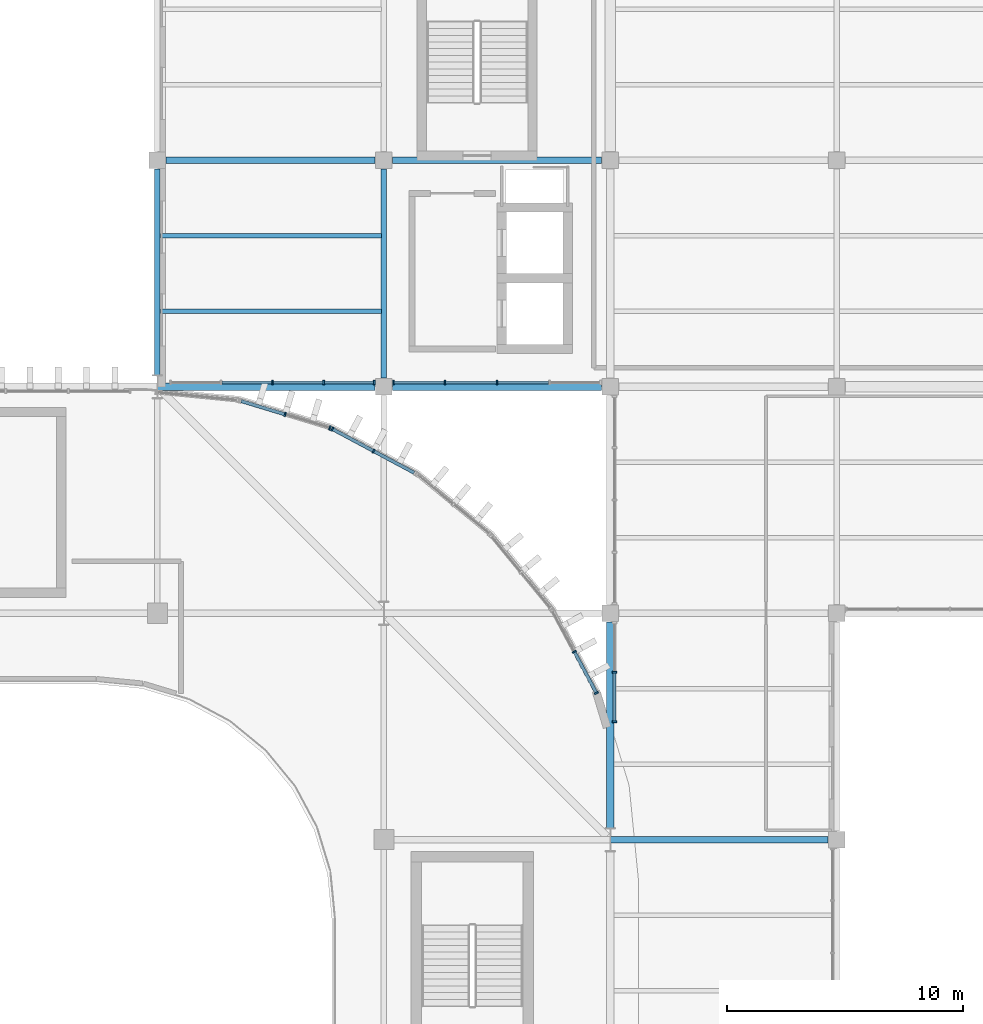
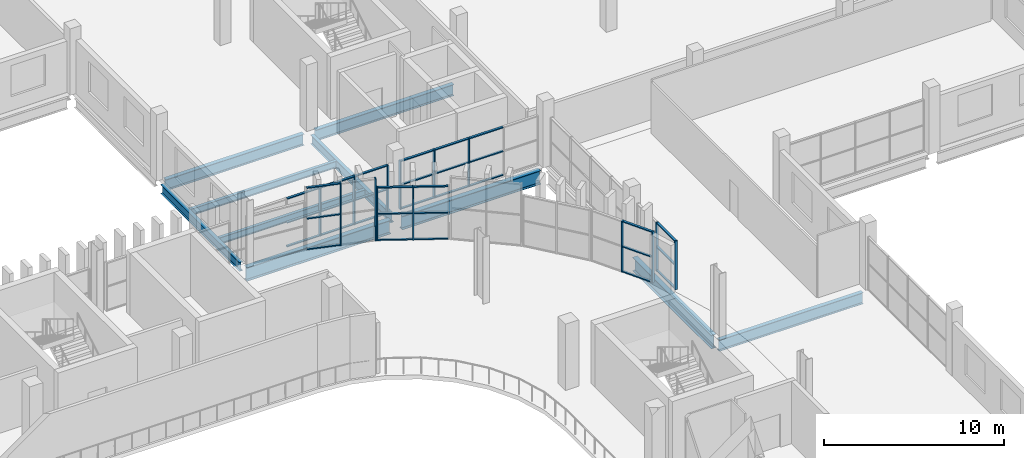
# One storey, part 35 of 92: 47 members, 10 beams, 6 elements without a shape of their own.
"""IFC4 building model written with IfcOpenShell, lengths in metres."""

from ifc_helpers import new_model, si_unit, direction, frame, origin, origin_2d, place, context, subcontext, project, spatial, rectangle, i_section, extrude, material, layer, layer_set, material_profile, profile_set, type_object, element, aggregate, save


model = new_model("IFC4")

# Units and contexts
model_context = context("Model", 3, precision=1e-05, world=origin(), true_north=direction((0.0, 1.0)))
body_context = subcontext(model_context, "Body", "Model", "MODEL_VIEW")
ifc_project = project(units=[si_unit("LENGTHUNIT", "METRE"), si_unit("AREAUNIT", "SQUARE_METRE"), si_unit("VOLUMEUNIT", "CUBIC_METRE"), si_unit("PLANEANGLEUNIT", "RADIAN"), si_unit("MASSUNIT", "GRAM", prefix="KILO")], contexts=[model_context])

# Site, building, storey
site_placement = place(None, origin())
site = spatial("IfcSite", under=ifc_project, at=site_placement, CompositionType="ELEMENT")
building_placement = place(site_placement, origin())
building = spatial("IfcBuilding", under=site, at=building_placement, Name="Caelomonte Colonnade Arena", CompositionType="ELEMENT")
storey_placement = place(building_placement, frame((0.0, 0.0, 9.60009765625)))
storey = spatial("IfcBuildingStorey", under=building, at=storey_placement, Name="L02", CompositionType="ELEMENT", Elevation=9.60009765625)

# Curtain wall, members
ifc_material_1 = material(Name="Bronze anodised aluminium and low-E glazing", Category="aluminium")
ifc_layer_1 = layer(ifc_material_1, 0.179931640625)
ifc_layer_set_1 = layer_set([ifc_layer_1], Name="Bronze anodised aluminium and low-E glazing")
curtain_wall_type_1 = type_object("IfcCurtainWallType", Name="ENV-CW-CW-L02-96-33", PredefinedType="USERDEFINED", material=ifc_layer_set_1)
curtain_wall_1_placement = place(storey_placement, origin())
curtain_wall_1 = element("IfcCurtainWall", 1, at=curtain_wall_1_placement, inside=storey, type_object=curtain_wall_type_1, Name="L02 unitized curtain wall CW-L02-1488-1154", ObjectType="UNITIZED CURTAIN WALL", PredefinedType="USERDEFINED")
ifc_material_2 = material(Name="Bronze anodised aluminium AA6063-T6", Category="aluminium")
ifc_material_profile_1 = material_profile(ifc_material_2, rectangle(XDim=0.070068359375, YDim=0.179931640625, at=origin_2d()), Name="CWM-70X180")
ifc_profile_set_1 = profile_set([ifc_material_profile_1], Name="Bronze anodised aluminium AA6063-T6")
member_type_1 = type_object("IfcMemberType", Name="ENV-CW-MULL1", PredefinedType="MULLION", material=ifc_profile_set_1)
member_1_placement = place(storey_placement, frame((148.877685546875, 115.3798828125, 0.0), z_axis=(0.0, 0.0, 1.0), x_axis=(1.0, 0.0, 0.0)))
member_1 = element("IfcMember", 2, at=member_1_placement, type_object=member_type_1, Name="CW-L02-96-33 mullion 3", PredefinedType="MULLION", context=body_context, shape_type="SweptSolid", body=[
    extrude(rectangle(XDim=0.070068359375, YDim=0.179931640625, at=origin_2d()), origin(), (0.0, 0.0, 1.0), 3.29296875),
])
member_2_placement = place(storey_placement, frame((151.053955078125, 115.3798828125, 0.0), z_axis=(0.0, 0.0, 1.0), x_axis=(1.0, 0.0, 0.0)))
member_2 = element("IfcMember", 3, at=member_2_placement, type_object=member_type_1, Name="CW-L02-96-33 mullion 4", PredefinedType="MULLION", context=body_context, shape_type="SweptSolid", body=[
    extrude(rectangle(XDim=0.070068359375, YDim=0.179931640625, at=origin_2d()), origin(), (0.0, 0.0, 1.0), 3.29296875),
])
member_3_placement = place(storey_placement, frame((153.195068359375, 115.3798828125, 0.0), z_axis=(0.0, 0.0, 1.0), x_axis=(1.0, 0.0, 0.0)))
member_3 = element("IfcMember", 4, at=member_3_placement, type_object=member_type_1, Name="CW-L02-96-33 mullion 5", PredefinedType="MULLION", context=body_context, shape_type="SweptSolid", body=[
    extrude(rectangle(XDim=0.070068359375, YDim=0.179931640625, at=origin_2d()), origin(), (0.0, 0.0, 1.0), 3.29296875),
])

curtain_wall_2_placement = place(storey_placement, origin())
curtain_wall_2 = element("IfcCurtainWall", 5, at=curtain_wall_2_placement, inside=storey, type_object=curtain_wall_type_1, Name="L02 unitized curtain wall CW-L02-1584-1154", ObjectType="UNITIZED CURTAIN WALL", PredefinedType="USERDEFINED")
member_4_placement = place(storey_placement, frame((154.0048828125, 115.3798828125, 0.0), z_axis=(0.0, 0.0, 1.0), x_axis=(1.0, 0.0, 0.0)))
member_4 = element("IfcMember", 6, at=member_4_placement, type_object=member_type_1, Name="CW-L02-96-33 mullion 1", PredefinedType="MULLION", context=body_context, shape_type="SweptSolid", body=[
    extrude(rectangle(XDim=0.070068359375, YDim=0.179931640625, at=origin_2d()), origin(), (0.0, 0.0, 1.0), 3.29296875),
])
member_5_placement = place(storey_placement, frame((156.18505859375, 115.3798828125, 0.0), z_axis=(0.0, 0.0, 1.0), x_axis=(1.0, 0.0, 0.0)))
member_5 = element("IfcMember", 7, at=member_5_placement, type_object=member_type_1, Name="CW-L02-96-33 mullion 2", PredefinedType="MULLION", context=body_context, shape_type="SweptSolid", body=[
    extrude(rectangle(XDim=0.070068359375, YDim=0.179931640625, at=origin_2d()), origin(), (0.0, 0.0, 1.0), 3.29296875),
])
member_6_placement = place(storey_placement, frame((158.39990234375, 115.3798828125, 0.0), z_axis=(0.0, 0.0, 1.0), x_axis=(1.0, 0.0, 0.0)))
member_6 = element("IfcMember", 8, at=member_6_placement, type_object=member_type_1, Name="CW-L02-96-33 mullion 3", PredefinedType="MULLION", context=body_context, shape_type="SweptSolid", body=[
    extrude(rectangle(XDim=0.070068359375, YDim=0.179931640625, at=origin_2d()), origin(), (0.0, 0.0, 1.0), 3.29296875),
])

ifc_layer_2 = layer(ifc_material_1, 0.179931640625)
ifc_layer_set_2 = layer_set([ifc_layer_2], Name="Bronze anodised aluminium and low-E glazing")
curtain_wall_type_2 = type_object("IfcCurtainWallType", Name="ENV-CW-CW-L02-48-33", PredefinedType="USERDEFINED", material=ifc_layer_set_2)
curtain_wall_3_placement = place(storey_placement, origin())
curtain_wall_3 = element("IfcCurtainWall", 9, at=curtain_wall_3_placement, inside=storey, type_object=curtain_wall_type_2, Name="L02 unitized curtain wall CW-L02-1634-1032", ObjectType="UNITIZED CURTAIN WALL", PredefinedType="USERDEFINED")
member_7_placement = place(storey_placement, frame((163.3798828125, 103.09716796875, 0.0), z_axis=(0.0, 0.0, 1.0), x_axis=(0.0, -1.0, 0.0)))
member_7 = element("IfcMember", 10, at=member_7_placement, type_object=member_type_1, Name="CW-L02-48-33 mullion 2", PredefinedType="MULLION", context=body_context, shape_type="SweptSolid", body=[
    extrude(rectangle(XDim=0.070068359375, YDim=0.179931640625, at=origin_2d()), origin(), (0.0, 0.0, 1.0), 3.29296875),
])
member_8_placement = place(storey_placement, frame((163.3798828125, 100.99951171875, 0.0), z_axis=(0.0, 0.0, 1.0), x_axis=(0.0, -1.0, 0.0)))
member_8 = element("IfcMember", 11, at=member_8_placement, type_object=member_type_1, Name="CW-L02-48-33 mullion 3", PredefinedType="MULLION", context=body_context, shape_type="SweptSolid", body=[
    extrude(rectangle(XDim=0.070068359375, YDim=0.179931640625, at=origin_2d()), origin(), (0.0, 0.0, 1.0), 3.29296875),
])

ifc_layer_3 = layer(ifc_material_1, 0.179931640625)
ifc_layer_set_3 = layer_set([ifc_layer_3], Name="Bronze anodised aluminium and low-E glazing")
curtain_wall_type_3 = type_object("IfcCurtainWallType", Name="ENV-CW-CW-L02-44-35", PredefinedType="USERDEFINED", material=ifc_layer_set_3)
curtain_wall_4_placement = place(storey_placement, origin())
curtain_wall_4 = element("IfcCurtainWall", 12, at=curtain_wall_4_placement, inside=storey, type_object=curtain_wall_type_3, Name="L02 unitized curtain wall CW-L02-1617-1040", ObjectType="UNITIZED CURTAIN WALL", PredefinedType="USERDEFINED")
member_9_placement = place(storey_placement, frame((162.607421875, 102.2177734375, 0.0), z_axis=(0.0, 0.0, 1.0), x_axis=(-0.471394212466, 0.881922613642, 0.0)))
member_9 = element("IfcMember", 13, at=member_9_placement, type_object=member_type_1, Name="CW-L02-44-35 mullion 1", PredefinedType="MULLION", context=body_context, shape_type="SweptSolid", body=[
    extrude(rectangle(XDim=0.070068359375, YDim=0.179931640625, at=origin_2d()), origin(), (0.0, 0.0, 1.0), 3.465576171875),
])
member_10_placement = place(storey_placement, frame((161.67236328125, 103.966796875, 0.0), z_axis=(0.0, 0.0, 1.0), x_axis=(-0.471394212466, 0.881922613642, 0.0)))
member_10 = element("IfcMember", 14, at=member_10_placement, type_object=member_type_1, Name="CW-L02-44-35 mullion 2", PredefinedType="MULLION", context=body_context, shape_type="SweptSolid", body=[
    extrude(rectangle(XDim=0.070068359375, YDim=0.179931640625, at=origin_2d()), origin(), (0.0, 0.0, 1.0), 3.465576171875),
])

ifc_layer_4 = layer(ifc_material_1, 0.179931640625)
ifc_layer_set_4 = layer_set([ifc_layer_4], Name="Bronze anodised aluminium and low-E glazing")
curtain_wall_type_4 = type_object("IfcCurtainWallType", Name="ENV-CW-CW-L02-44-36", PredefinedType="USERDEFINED", material=ifc_layer_set_4)
curtain_wall_5_placement = place(storey_placement, origin())
curtain_wall_5 = element("IfcCurtainWall", 15, at=curtain_wall_5_placement, inside=storey, type_object=curtain_wall_type_4, Name="L02 unitized curtain wall CW-L02-1532-1125", ObjectType="UNITIZED CURTAIN WALL", PredefinedType="USERDEFINED")
member_11_placement = place(storey_placement, frame((153.166748046875, 112.472412109375, 0.0), z_axis=(0.0, 0.0, 1.0), x_axis=(-0.881922613642, 0.471394212466, 0.0)))
member_11 = element("IfcMember", 16, at=member_11_placement, type_object=member_type_1, Name="CW-L02-44-36 mullion 2", PredefinedType="MULLION", context=body_context, shape_type="SweptSolid", body=[
    extrude(rectangle(XDim=0.070068359375, YDim=0.179931640625, at=origin_2d()), origin(), (0.0, 0.0, 1.0), 3.61279296875),
])
member_12_placement = place(storey_placement, frame((151.417724609375, 113.407470703125, 0.0), z_axis=(0.0, 0.0, 1.0), x_axis=(-0.881922613642, 0.471394212466, 0.0)))
member_12 = element("IfcMember", 17, at=member_12_placement, type_object=member_type_1, Name="CW-L02-44-36 mullion 3", PredefinedType="MULLION", context=body_context, shape_type="SweptSolid", body=[
    extrude(rectangle(XDim=0.070068359375, YDim=0.179931640625, at=origin_2d()), origin(), (0.0, 0.0, 1.0), 3.61279296875),
])

ifc_layer_5 = layer(ifc_material_1, 0.179931640625)
ifc_layer_set_5 = layer_set([ifc_layer_5], Name="Bronze anodised aluminium and low-E glazing")
curtain_wall_type_5 = type_object("IfcCurtainWallType", Name="ENV-CW-CW-L02-44-42", PredefinedType="USERDEFINED", material=ifc_layer_set_5)
curtain_wall_6_placement = place(storey_placement, origin())
curtain_wall_6 = element("IfcCurtainWall", 18, at=curtain_wall_6_placement, inside=storey, type_object=curtain_wall_type_5, Name="L02 unitized curtain wall CW-L02-1494-1140", ObjectType="UNITIZED CURTAIN WALL", PredefinedType="USERDEFINED")
member_13_placement = place(storey_placement, frame((151.3125, 113.451171875, 0.0), z_axis=(0.0, 0.0, 1.0), x_axis=(-0.956949160999, 0.290255582655, 0.0)))
member_13 = element("IfcMember", 19, at=member_13_placement, type_object=member_type_1, Name="CW-L02-44-42 mullion 1", PredefinedType="MULLION", context=body_context, shape_type="SweptSolid", body=[
    extrude(rectangle(XDim=0.070068359375, YDim=0.179931640625, at=origin_2d()), origin(), (0.0, 0.0, 1.0), 4.219970703125),
])
member_14_placement = place(storey_placement, frame((149.414306640625, 114.02685546875, 0.0), z_axis=(0.0, 0.0, 1.0), x_axis=(-0.956949160999, 0.290255582655, 0.0)))
member_14 = element("IfcMember", 20, at=member_14_placement, type_object=member_type_1, Name="CW-L02-44-42 mullion 2", PredefinedType="MULLION", context=body_context, shape_type="SweptSolid", body=[
    extrude(rectangle(XDim=0.070068359375, YDim=0.179931640625, at=origin_2d()), origin(), (0.0, 0.0, 1.0), 4.219970703125),
])

# Member
ifc_material_profile_2 = material_profile(ifc_material_2, rectangle(XDim=0.070068359375, YDim=0.139892578125, at=origin_2d()), Name="CWT-70X140")
ifc_profile_set_2 = profile_set([ifc_material_profile_2], Name="Bronze anodised aluminium AA6063-T6")
member_type_2 = type_object("IfcMemberType", Name="ENV-CW-TRAN1", PredefinedType="USERDEFINED", material=ifc_profile_set_2)
member_15_placement = place(storey_placement, frame((146.736572265625, 115.3798828125, 0.034912109375), z_axis=(1.0, 0.0, 0.0), x_axis=(0.0, 0.0, 1.0)))
member_15 = element("IfcMember", 21, at=member_15_placement, type_object=member_type_2, Name="CW-L02-96-33 transom 2.1", ObjectType="TRANSOM", PredefinedType="USERDEFINED", context=body_context, shape_type="SweptSolid", body=[
    extrude(rectangle(XDim=0.070068359375, YDim=0.139892578125, at=origin_2d()), origin(), (0.0, 0.0, 1.0), 2.106201171875),
])

member_16_placement = place(storey_placement, frame((146.736572265625, 115.3798828125, 1.646484375), z_axis=(1.0, 0.0, 0.0), x_axis=(0.0, 0.0, 1.0)))
member_16 = element("IfcMember", 22, at=member_16_placement, type_object=member_type_2, Name="CW-L02-96-33 transom 2.2", ObjectType="TRANSOM", PredefinedType="USERDEFINED", context=body_context, shape_type="SweptSolid", body=[
    extrude(rectangle(XDim=0.070068359375, YDim=0.139892578125, at=origin_2d()), origin(), (0.0, 0.0, 1.0), 2.106201171875),
])

member_17_placement = place(storey_placement, frame((146.736572265625, 115.3798828125, 3.2578125), z_axis=(1.0, 0.0, 0.0), x_axis=(0.0, 0.0, 1.0)))
member_17 = element("IfcMember", 23, at=member_17_placement, type_object=member_type_2, Name="CW-L02-96-33 transom 2.3", ObjectType="TRANSOM", PredefinedType="USERDEFINED", context=body_context, shape_type="SweptSolid", body=[
    extrude(rectangle(XDim=0.070068359375, YDim=0.139892578125, at=origin_2d()), origin(), (0.0, 0.0, 1.0), 2.106201171875),
])

member_18_placement = place(storey_placement, frame((148.912841796875, 115.3798828125, 0.034912109375), z_axis=(1.0, 0.0, 0.0), x_axis=(0.0, 0.0, 1.0)))
member_18 = element("IfcMember", 24, at=member_18_placement, type_object=member_type_2, Name="CW-L02-96-33 transom 3.1", ObjectType="TRANSOM", PredefinedType="USERDEFINED", context=body_context, shape_type="SweptSolid", body=[
    extrude(rectangle(XDim=0.070068359375, YDim=0.139892578125, at=origin_2d()), origin(), (0.0, 0.0, 1.0), 2.10595703125),
])

member_19_placement = place(storey_placement, frame((148.912841796875, 115.3798828125, 1.646484375), z_axis=(1.0, 0.0, 0.0), x_axis=(0.0, 0.0, 1.0)))
member_19 = element("IfcMember", 25, at=member_19_placement, type_object=member_type_2, Name="CW-L02-96-33 transom 3.2", ObjectType="TRANSOM", PredefinedType="USERDEFINED", context=body_context, shape_type="SweptSolid", body=[
    extrude(rectangle(XDim=0.070068359375, YDim=0.139892578125, at=origin_2d()), origin(), (0.0, 0.0, 1.0), 2.10595703125),
])

member_20_placement = place(storey_placement, frame((148.912841796875, 115.3798828125, 3.2578125), z_axis=(1.0, 0.0, 0.0), x_axis=(0.0, 0.0, 1.0)))
member_20 = element("IfcMember", 26, at=member_20_placement, type_object=member_type_2, Name="CW-L02-96-33 transom 3.3", ObjectType="TRANSOM", PredefinedType="USERDEFINED", context=body_context, shape_type="SweptSolid", body=[
    extrude(rectangle(XDim=0.070068359375, YDim=0.139892578125, at=origin_2d()), origin(), (0.0, 0.0, 1.0), 2.10595703125),
])

member_21_placement = place(storey_placement, frame((151.0888671875, 115.3798828125, 0.034912109375), z_axis=(1.0, 0.0, 0.0), x_axis=(0.0, 0.0, 1.0)))
member_21 = element("IfcMember", 27, at=member_21_placement, type_object=member_type_2, Name="CW-L02-96-33 transom 4.1", ObjectType="TRANSOM", PredefinedType="USERDEFINED", context=body_context, shape_type="SweptSolid", body=[
    extrude(rectangle(XDim=0.070068359375, YDim=0.139892578125, at=origin_2d()), origin(), (0.0, 0.0, 1.0), 2.071044921875),
])

member_22_placement = place(storey_placement, frame((151.0888671875, 115.3798828125, 1.646484375), z_axis=(1.0, 0.0, 0.0), x_axis=(0.0, 0.0, 1.0)))
member_22 = element("IfcMember", 28, at=member_22_placement, type_object=member_type_2, Name="CW-L02-96-33 transom 4.2", ObjectType="TRANSOM", PredefinedType="USERDEFINED", context=body_context, shape_type="SweptSolid", body=[
    extrude(rectangle(XDim=0.070068359375, YDim=0.139892578125, at=origin_2d()), origin(), (0.0, 0.0, 1.0), 2.071044921875),
])

member_23_placement = place(storey_placement, frame((151.0888671875, 115.3798828125, 3.2578125), z_axis=(1.0, 0.0, 0.0), x_axis=(0.0, 0.0, 1.0)))
member_23 = element("IfcMember", 29, at=member_23_placement, type_object=member_type_2, Name="CW-L02-96-33 transom 4.3", ObjectType="TRANSOM", PredefinedType="USERDEFINED", context=body_context, shape_type="SweptSolid", body=[
    extrude(rectangle(XDim=0.070068359375, YDim=0.139892578125, at=origin_2d()), origin(), (0.0, 0.0, 1.0), 2.071044921875),
])

aggregate(curtain_wall_1, [member_1, member_2, member_3, member_15, member_16, member_17, member_18, member_19, member_20, member_21, member_22, member_23])

member_24_placement = place(storey_placement, frame((154.0400390625, 115.3798828125, 0.034912109375), z_axis=(1.0, 0.0, 0.0), x_axis=(0.0, 0.0, 1.0)))
member_24 = element("IfcMember", 30, at=member_24_placement, type_object=member_type_2, Name="CW-L02-96-33 transom 1.1", ObjectType="TRANSOM", PredefinedType="USERDEFINED", context=body_context, shape_type="SweptSolid", body=[
    extrude(rectangle(XDim=0.070068359375, YDim=0.139892578125, at=origin_2d()), origin(), (0.0, 0.0, 1.0), 2.10986328125),
])

member_25_placement = place(storey_placement, frame((154.0400390625, 115.3798828125, 1.646484375), z_axis=(1.0, 0.0, 0.0), x_axis=(0.0, 0.0, 1.0)))
member_25 = element("IfcMember", 31, at=member_25_placement, type_object=member_type_2, Name="CW-L02-96-33 transom 1.2", ObjectType="TRANSOM", PredefinedType="USERDEFINED", context=body_context, shape_type="SweptSolid", body=[
    extrude(rectangle(XDim=0.070068359375, YDim=0.139892578125, at=origin_2d()), origin(), (0.0, 0.0, 1.0), 2.10986328125),
])

member_26_placement = place(storey_placement, frame((154.0400390625, 115.3798828125, 3.2578125), z_axis=(1.0, 0.0, 0.0), x_axis=(0.0, 0.0, 1.0)))
member_26 = element("IfcMember", 32, at=member_26_placement, type_object=member_type_2, Name="CW-L02-96-33 transom 1.3", ObjectType="TRANSOM", PredefinedType="USERDEFINED", context=body_context, shape_type="SweptSolid", body=[
    extrude(rectangle(XDim=0.070068359375, YDim=0.139892578125, at=origin_2d()), origin(), (0.0, 0.0, 1.0), 2.10986328125),
])

member_27_placement = place(storey_placement, frame((156.219970703125, 115.3798828125, 0.034912109375), z_axis=(1.0, 0.0, 0.0), x_axis=(0.0, 0.0, 1.0)))
member_27 = element("IfcMember", 33, at=member_27_placement, type_object=member_type_2, Name="CW-L02-96-33 transom 2.1", ObjectType="TRANSOM", PredefinedType="USERDEFINED", context=body_context, shape_type="SweptSolid", body=[
    extrude(rectangle(XDim=0.070068359375, YDim=0.139892578125, at=origin_2d()), origin(), (0.0, 0.0, 1.0), 2.14501953125),
])

member_28_placement = place(storey_placement, frame((156.219970703125, 115.3798828125, 1.646484375), z_axis=(1.0, 0.0, 0.0), x_axis=(0.0, 0.0, 1.0)))
member_28 = element("IfcMember", 34, at=member_28_placement, type_object=member_type_2, Name="CW-L02-96-33 transom 2.2", ObjectType="TRANSOM", PredefinedType="USERDEFINED", context=body_context, shape_type="SweptSolid", body=[
    extrude(rectangle(XDim=0.070068359375, YDim=0.139892578125, at=origin_2d()), origin(), (0.0, 0.0, 1.0), 2.14501953125),
])

member_29_placement = place(storey_placement, frame((156.219970703125, 115.3798828125, 3.2578125), z_axis=(1.0, 0.0, 0.0), x_axis=(0.0, 0.0, 1.0)))
member_29 = element("IfcMember", 35, at=member_29_placement, type_object=member_type_2, Name="CW-L02-96-33 transom 2.3", ObjectType="TRANSOM", PredefinedType="USERDEFINED", context=body_context, shape_type="SweptSolid", body=[
    extrude(rectangle(XDim=0.070068359375, YDim=0.139892578125, at=origin_2d()), origin(), (0.0, 0.0, 1.0), 2.14501953125),
])

member_30_placement = place(storey_placement, frame((158.43505859375, 115.3798828125, 0.034912109375), z_axis=(1.0, 0.0, 0.0), x_axis=(0.0, 0.0, 1.0)))
member_30 = element("IfcMember", 36, at=member_30_placement, type_object=member_type_2, Name="CW-L02-96-33 transom 3.1", ObjectType="TRANSOM", PredefinedType="USERDEFINED", context=body_context, shape_type="SweptSolid", body=[
    extrude(rectangle(XDim=0.070068359375, YDim=0.139892578125, at=origin_2d()), origin(), (0.0, 0.0, 1.0), 2.14501953125),
])

member_31_placement = place(storey_placement, frame((158.43505859375, 115.3798828125, 1.646484375), z_axis=(1.0, 0.0, 0.0), x_axis=(0.0, 0.0, 1.0)))
member_31 = element("IfcMember", 37, at=member_31_placement, type_object=member_type_2, Name="CW-L02-96-33 transom 3.2", ObjectType="TRANSOM", PredefinedType="USERDEFINED", context=body_context, shape_type="SweptSolid", body=[
    extrude(rectangle(XDim=0.070068359375, YDim=0.139892578125, at=origin_2d()), origin(), (0.0, 0.0, 1.0), 2.14501953125),
])

member_32_placement = place(storey_placement, frame((158.43505859375, 115.3798828125, 3.2578125), z_axis=(1.0, 0.0, 0.0), x_axis=(0.0, 0.0, 1.0)))
member_32 = element("IfcMember", 38, at=member_32_placement, type_object=member_type_2, Name="CW-L02-96-33 transom 3.3", ObjectType="TRANSOM", PredefinedType="USERDEFINED", context=body_context, shape_type="SweptSolid", body=[
    extrude(rectangle(XDim=0.070068359375, YDim=0.139892578125, at=origin_2d()), origin(), (0.0, 0.0, 1.0), 2.14501953125),
])

aggregate(curtain_wall_2, [member_4, member_5, member_6, member_24, member_25, member_26, member_27, member_28, member_29, member_30, member_31, member_32])

member_33_placement = place(storey_placement, frame((163.3798828125, 103.062255859375, 0.034912109375), z_axis=(0.0, -1.0, 0.0), x_axis=(0.0, 0.0, 1.0)))
member_33 = element("IfcMember", 39, at=member_33_placement, type_object=member_type_2, Name="CW-L02-48-33 transom 2.1", ObjectType="TRANSOM", PredefinedType="USERDEFINED", context=body_context, shape_type="SweptSolid", body=[
    extrude(rectangle(XDim=0.070068359375, YDim=0.139892578125, at=origin_2d()), origin(), (0.0, 0.0, 1.0), 2.02783203125),
])

member_34_placement = place(storey_placement, frame((163.3798828125, 103.062255859375, 1.646484375), z_axis=(0.0, -1.0, 0.0), x_axis=(0.0, 0.0, 1.0)))
member_34 = element("IfcMember", 40, at=member_34_placement, type_object=member_type_2, Name="CW-L02-48-33 transom 2.2", ObjectType="TRANSOM", PredefinedType="USERDEFINED", context=body_context, shape_type="SweptSolid", body=[
    extrude(rectangle(XDim=0.070068359375, YDim=0.139892578125, at=origin_2d()), origin(), (0.0, 0.0, 1.0), 2.02783203125),
])

member_35_placement = place(storey_placement, frame((163.3798828125, 103.062255859375, 3.2578125), z_axis=(0.0, -1.0, 0.0), x_axis=(0.0, 0.0, 1.0)))
member_35 = element("IfcMember", 41, at=member_35_placement, type_object=member_type_2, Name="CW-L02-48-33 transom 2.3", ObjectType="TRANSOM", PredefinedType="USERDEFINED", context=body_context, shape_type="SweptSolid", body=[
    extrude(rectangle(XDim=0.070068359375, YDim=0.139892578125, at=origin_2d()), origin(), (0.0, 0.0, 1.0), 2.02783203125),
])

aggregate(curtain_wall_3, [member_7, member_8, member_33, member_34, member_35])

member_36_placement = place(storey_placement, frame((162.5908203125, 102.24853515625, 0.034912109375), z_axis=(-0.471343048304, 0.88194995936, 0.0), x_axis=(0.0, 0.0, 1.0)))
member_36 = element("IfcMember", 42, at=member_36_placement, type_object=member_type_2, Name="CW-L02-44-35 transom 1.1", ObjectType="TRANSOM", PredefinedType="USERDEFINED", context=body_context, shape_type="SweptSolid", body=[
    extrude(rectangle(XDim=0.070068359375, YDim=0.139892578125, at=origin_2d()), origin(), (0.0, 0.0, 1.0), 1.913330078125),
])

member_37_placement = place(storey_placement, frame((162.5908203125, 102.24853515625, 1.732666015625), z_axis=(-0.471343048304, 0.88194995936, 0.0), x_axis=(0.0, 0.0, 1.0)))
member_37 = element("IfcMember", 43, at=member_37_placement, type_object=member_type_2, Name="CW-L02-44-35 transom 1.2", ObjectType="TRANSOM", PredefinedType="USERDEFINED", context=body_context, shape_type="SweptSolid", body=[
    extrude(rectangle(XDim=0.070068359375, YDim=0.139892578125, at=origin_2d()), origin(), (0.0, 0.0, 1.0), 1.913330078125),
])

member_38_placement = place(storey_placement, frame((162.5908203125, 102.24853515625, 3.430419921875), z_axis=(-0.471343048304, 0.88194995936, 0.0), x_axis=(0.0, 0.0, 1.0)))
member_38 = element("IfcMember", 44, at=member_38_placement, type_object=member_type_2, Name="CW-L02-44-35 transom 1.3", ObjectType="TRANSOM", PredefinedType="USERDEFINED", context=body_context, shape_type="SweptSolid", body=[
    extrude(rectangle(XDim=0.070068359375, YDim=0.139892578125, at=origin_2d()), origin(), (0.0, 0.0, 1.0), 1.913330078125),
])

aggregate(curtain_wall_4, [member_9, member_10, member_36, member_37, member_38])

member_39_placement = place(storey_placement, frame((154.88525390625, 111.553955078125, 0.034912109375), z_axis=(-0.881896914799, 0.471442288799, 0.0), x_axis=(0.0, 0.0, 1.0)))
member_39 = element("IfcMember", 45, at=member_39_placement, type_object=member_type_2, Name="CW-L02-44-36 transom 1.1", ObjectType="TRANSOM", PredefinedType="USERDEFINED", context=body_context, shape_type="SweptSolid", body=[
    extrude(rectangle(XDim=0.070068359375, YDim=0.139892578125, at=origin_2d()), origin(), (0.0, 0.0, 1.0), 1.91357421875),
])

member_40_placement = place(storey_placement, frame((154.88525390625, 111.553955078125, 1.806396484375), z_axis=(-0.881896914799, 0.471442288799, 0.0), x_axis=(0.0, 0.0, 1.0)))
member_40 = element("IfcMember", 46, at=member_40_placement, type_object=member_type_2, Name="CW-L02-44-36 transom 1.2", ObjectType="TRANSOM", PredefinedType="USERDEFINED", context=body_context, shape_type="SweptSolid", body=[
    extrude(rectangle(XDim=0.070068359375, YDim=0.139892578125, at=origin_2d()), origin(), (0.0, 0.0, 1.0), 1.91357421875),
])

member_41_placement = place(storey_placement, frame((154.88525390625, 111.553955078125, 3.577880859375), z_axis=(-0.881896914799, 0.471442288799, 0.0), x_axis=(0.0, 0.0, 1.0)))
member_41 = element("IfcMember", 47, at=member_41_placement, type_object=member_type_2, Name="CW-L02-44-36 transom 1.3", ObjectType="TRANSOM", PredefinedType="USERDEFINED", context=body_context, shape_type="SweptSolid", body=[
    extrude(rectangle(XDim=0.070068359375, YDim=0.139892578125, at=origin_2d()), origin(), (0.0, 0.0, 1.0), 1.91357421875),
])

member_42_placement = place(storey_placement, frame((153.135986328125, 112.489013671875, 0.034912109375), z_axis=(-0.88194995936, 0.471343048304, 0.0), x_axis=(0.0, 0.0, 1.0)))
member_42 = element("IfcMember", 48, at=member_42_placement, type_object=member_type_2, Name="CW-L02-44-36 transom 2.1", ObjectType="TRANSOM", PredefinedType="USERDEFINED", context=body_context, shape_type="SweptSolid", body=[
    extrude(rectangle(XDim=0.070068359375, YDim=0.139892578125, at=origin_2d()), origin(), (0.0, 0.0, 1.0), 1.913330078125),
])

member_43_placement = place(storey_placement, frame((153.135986328125, 112.489013671875, 1.806396484375), z_axis=(-0.88194995936, 0.471343048304, 0.0), x_axis=(0.0, 0.0, 1.0)))
member_43 = element("IfcMember", 49, at=member_43_placement, type_object=member_type_2, Name="CW-L02-44-36 transom 2.2", ObjectType="TRANSOM", PredefinedType="USERDEFINED", context=body_context, shape_type="SweptSolid", body=[
    extrude(rectangle(XDim=0.070068359375, YDim=0.139892578125, at=origin_2d()), origin(), (0.0, 0.0, 1.0), 1.913330078125),
])

member_44_placement = place(storey_placement, frame((153.135986328125, 112.489013671875, 3.577880859375), z_axis=(-0.88194995936, 0.471343048304, 0.0), x_axis=(0.0, 0.0, 1.0)))
member_44 = element("IfcMember", 50, at=member_44_placement, type_object=member_type_2, Name="CW-L02-44-36 transom 2.3", ObjectType="TRANSOM", PredefinedType="USERDEFINED", context=body_context, shape_type="SweptSolid", body=[
    extrude(rectangle(XDim=0.070068359375, YDim=0.139892578125, at=origin_2d()), origin(), (0.0, 0.0, 1.0), 1.913330078125),
])

aggregate(curtain_wall_5, [member_11, member_12, member_39, member_40, member_41, member_42, member_43, member_44])

member_45_placement = place(storey_placement, frame((149.380859375, 114.036865234375, 0.034912109375), z_axis=(-0.956943884494, 0.290272978297, 0.0), x_axis=(0.0, 0.0, 1.0)))
member_45 = element("IfcMember", 51, at=member_45_placement, type_object=member_type_2, Name="CW-L02-44-42 transom 2.1", ObjectType="TRANSOM", PredefinedType="USERDEFINED", context=body_context, shape_type="SweptSolid", body=[
    extrude(rectangle(XDim=0.070068359375, YDim=0.139892578125, at=origin_2d()), origin(), (0.0, 0.0, 1.0), 1.913330078125),
])

member_46_placement = place(storey_placement, frame((149.380859375, 114.036865234375, 2.10986328125), z_axis=(-0.956943884494, 0.290272978297, 0.0), x_axis=(0.0, 0.0, 1.0)))
member_46 = element("IfcMember", 52, at=member_46_placement, type_object=member_type_2, Name="CW-L02-44-42 transom 2.2", ObjectType="TRANSOM", PredefinedType="USERDEFINED", context=body_context, shape_type="SweptSolid", body=[
    extrude(rectangle(XDim=0.070068359375, YDim=0.139892578125, at=origin_2d()), origin(), (0.0, 0.0, 1.0), 1.913330078125),
])

member_47_placement = place(storey_placement, frame((149.380859375, 114.036865234375, 4.184814453125), z_axis=(-0.956943884494, 0.290272978297, 0.0), x_axis=(0.0, 0.0, 1.0)))
member_47 = element("IfcMember", 53, at=member_47_placement, type_object=member_type_2, Name="CW-L02-44-42 transom 2.3", ObjectType="TRANSOM", PredefinedType="USERDEFINED", context=body_context, shape_type="SweptSolid", body=[
    extrude(rectangle(XDim=0.070068359375, YDim=0.139892578125, at=origin_2d()), origin(), (0.0, 0.0, 1.0), 1.913330078125),
])

aggregate(curtain_wall_6, [member_13, member_14, member_45, member_46, member_47])

# Beams
ifc_material_3 = material(Name="Wide-flange steel ASTM A992 Grade 50", Category="steel")
ifc_material_profile_3 = material_profile(ifc_material_3, i_section(OverallWidth=0.307861328125, OverallDepth=0.927001953125, WebThickness=0.019287109375, FlangeThickness=0.031982421875, FilletRadius=0.020263671875, at=origin_2d()), Name="W36X194")
ifc_profile_set_3 = profile_set([ifc_material_profile_3], Name="Wide-flange steel ASTM A992 Grade 50")
beam_type_1 = type_object("IfcBeamType", Name="STR-BM-EAVES2", PredefinedType="SPANDREL", material=ifc_profile_set_3)
beam_1_placement = place(storey_placement, frame((144.01171875, 115.199951171875, -0.74365234375), z_axis=(1.0, 0.0, 0.0), x_axis=(0.0, 1.0, 0.0)))
element("IfcBeam", 54, at=beam_1_placement, inside=storey, type_object=beam_type_1, Name="L02 girder BMX-L02-1440-1152", PredefinedType="SPANDREL", context=body_context, shape_type="SweptSolid", body=[
    extrude(i_section(OverallWidth=0.307861328125, OverallDepth=0.927001953125, WebThickness=0.019287109375, FlangeThickness=0.031982421875, FilletRadius=0.020263671875, at=origin_2d()), origin(), (0.0, 0.0, 1.0), 9.22119140625),
])
beam_2_placement = place(storey_placement, frame((153.967041015625, 115.199951171875, -0.74365234375), z_axis=(1.0, 0.0, 0.0), x_axis=(0.0, 1.0, 0.0)))
element("IfcBeam", 55, at=beam_2_placement, inside=storey, type_object=beam_type_1, Name="L02 girder BMX-L02-1536-1152", PredefinedType="SPANDREL", context=body_context, shape_type="SweptSolid", body=[
    extrude(i_section(OverallWidth=0.307861328125, OverallDepth=0.927001953125, WebThickness=0.019287109375, FlangeThickness=0.031982421875, FilletRadius=0.020263671875, at=origin_2d()), origin(), (0.0, 0.0, 1.0), 8.865966796875),
])
beam_3_placement = place(storey_placement, frame((163.199951171875, 96.49755859375, -0.74365234375), z_axis=(0.0, 1.0, 0.0), x_axis=(-1.0, 0.0, 0.0)))
element("IfcBeam", 56, at=beam_3_placement, inside=storey, type_object=beam_type_1, Name="L02 girder BMY-L02-1632-0960", PredefinedType="SPANDREL", context=body_context, shape_type="SweptSolid", body=[
    extrude(i_section(OverallWidth=0.307861328125, OverallDepth=0.927001953125, WebThickness=0.019287109375, FlangeThickness=0.031982421875, FilletRadius=0.020263671875, at=origin_2d()), origin(), (0.0, 0.0, 1.0), 8.7353515625),
])
ifc_material_profile_4 = material_profile(ifc_material_3, i_section(OverallWidth=0.228271484375, OverallDepth=0.607177734375, WebThickness=0.01123046875, FlangeThickness=0.017333984375, FilletRadius=0.0126953125, at=origin_2d()), Name="W24X76")
ifc_profile_set_4 = profile_set([ifc_material_profile_4], Name="Wide-flange steel ASTM A992 Grade 50")
beam_type_2 = type_object("IfcBeamType", Name="STR-BM-GIRD24", PredefinedType="BEAM", material=ifc_profile_set_4)
beam_4_placement = place(storey_placement, frame((144.0, 115.697509765625, -0.58349609375), z_axis=(0.0, 1.0, 0.0), x_axis=(-1.0, 0.0, 0.0)))
element("IfcBeam", 57, at=beam_4_placement, inside=storey, type_object=beam_type_2, Name="L02 girder BMY-L02-1440-1152", PredefinedType="BEAM", context=body_context, shape_type="SweptSolid", body=[
    extrude(i_section(OverallWidth=0.228271484375, OverallDepth=0.607177734375, WebThickness=0.01123046875, FlangeThickness=0.017333984375, FilletRadius=0.0126953125, at=origin_2d()), origin(), (0.0, 0.0, 1.0), 8.735595703125),
])
beam_5_placement = place(storey_placement, frame((153.60009765625, 115.56689453125, -0.58349609375), z_axis=(0.0, 1.0, 0.0), x_axis=(-1.0, 0.0, 0.0)))
element("IfcBeam", 58, at=beam_5_placement, inside=storey, type_object=beam_type_2, Name="L02 girder BMY-L02-1536-1152", PredefinedType="BEAM", context=body_context, shape_type="SweptSolid", body=[
    extrude(i_section(OverallWidth=0.228271484375, OverallDepth=0.607177734375, WebThickness=0.01123046875, FlangeThickness=0.017333984375, FilletRadius=0.0126953125, at=origin_2d()), origin(), (0.0, 0.0, 1.0), 8.8662109375),
])
ifc_material_profile_5 = material_profile(ifc_material_3, i_section(OverallWidth=0.2666015625, OverallDepth=0.761962890625, WebThickness=0.014404296875, FlangeThickness=0.021484375, FilletRadius=0.0166015625, at=origin_2d()), Name="W30X116")
ifc_profile_set_5 = profile_set([ifc_material_profile_5], Name="Wide-flange steel ASTM A992 Grade 50")
beam_type_3 = type_object("IfcBeamType", Name="STR-BM-GIRD30", PredefinedType="BEAM", material=ifc_profile_set_5)
beam_6_placement = place(storey_placement, frame((163.2119140625, 96.0, -0.6611328125), z_axis=(1.0, 0.0, 0.0), x_axis=(0.0, 1.0, 0.0)))
element("IfcBeam", 59, at=beam_6_placement, inside=storey, type_object=beam_type_3, Name="L02 girder BMX-L02-1632-0960", PredefinedType="BEAM", context=body_context, shape_type="SweptSolid", body=[
    extrude(i_section(OverallWidth=0.2666015625, OverallDepth=0.761962890625, WebThickness=0.014404296875, FlangeThickness=0.021484375, FilletRadius=0.0166015625, at=origin_2d()), origin(), (0.0, 0.0, 1.0), 9.22119140625),
])
for number, where, z_axis, x_axis, name in (
    (60, (144.366943359375, 124.800048828125, -0.6611328125), (1.0, 0.0, 0.0), (0.0, 1.0, 0.0), "L02 girder BMX-L02-1440-1248"),
    (61, (153.967041015625, 124.800048828125, -0.6611328125), (1.0, 0.0, 0.0), (0.0, 1.0, 0.0), "L02 girder BMX-L02-1536-1248"),
):
    element("IfcBeam", number, at=place(storey_placement, frame(where, z_axis=z_axis, x_axis=x_axis)), inside=storey, type_object=beam_type_3, Name=name, PredefinedType="BEAM", context=body_context, shape_type="SweptSolid", body=[
        extrude(i_section(OverallWidth=0.2666015625, OverallDepth=0.761962890625, WebThickness=0.014404296875, FlangeThickness=0.021484375, FilletRadius=0.0166015625, at=origin_2d()), origin(), (0.0, 0.0, 1.0), 8.865966796875),
    ])
ifc_material_profile_6 = material_profile(ifc_material_3, i_section(OverallWidth=0.1904296875, OverallDepth=0.457275390625, WebThickness=0.009033203125, FlangeThickness=0.014404296875, FilletRadius=0.01025390625, at=origin_2d()), Name="W18X50")
ifc_profile_set_6 = profile_set([ifc_material_profile_6], Name="Wide-flange steel ASTM A992 Grade 50")
beam_type_4 = type_object("IfcBeamType", Name="STR-BM-JOIST18", PredefinedType="JOIST", material=ifc_profile_set_6)
for number, where, z_axis, x_axis, name in (
    (62, (144.109130859375, 118.39990234375, -0.5087890625), (1.0, 0.0, 0.0), (0.0, 1.0, 0.0), "L02 secondary joist 1"),
    (63, (144.109130859375, 121.60009765625, -0.5087890625), (1.0, 0.0, 0.0), (0.0, 1.0, 0.0), "L02 secondary joist 2"),
):
    element("IfcBeam", number, at=place(storey_placement, frame(where, z_axis=z_axis, x_axis=x_axis)), inside=storey, type_object=beam_type_4, Name=name, PredefinedType="JOIST", context=body_context, shape_type="SweptSolid", body=[
        extrude(i_section(OverallWidth=0.1904296875, OverallDepth=0.457275390625, WebThickness=0.009033203125, FlangeThickness=0.014404296875, FilletRadius=0.01025390625, at=origin_2d()), origin(), (0.0, 0.0, 1.0), 9.381591796875),
    ])

save(model, "model.ifc")
